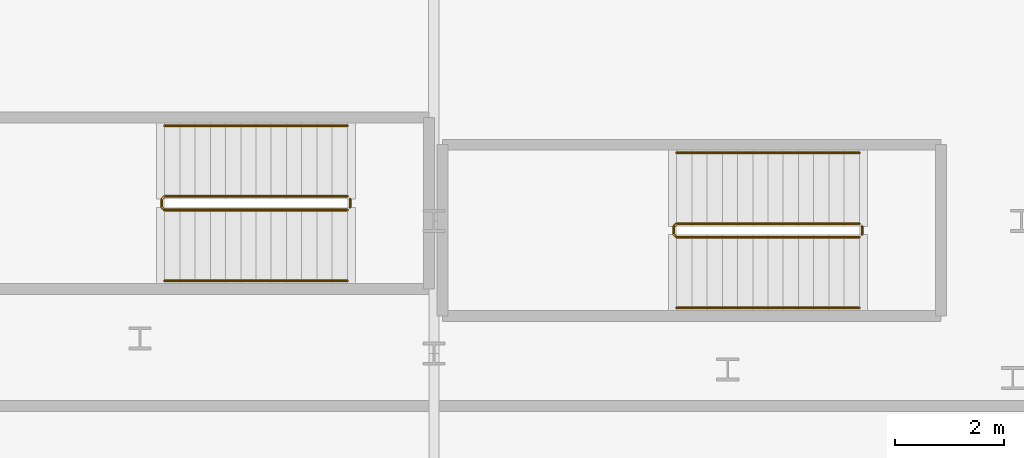
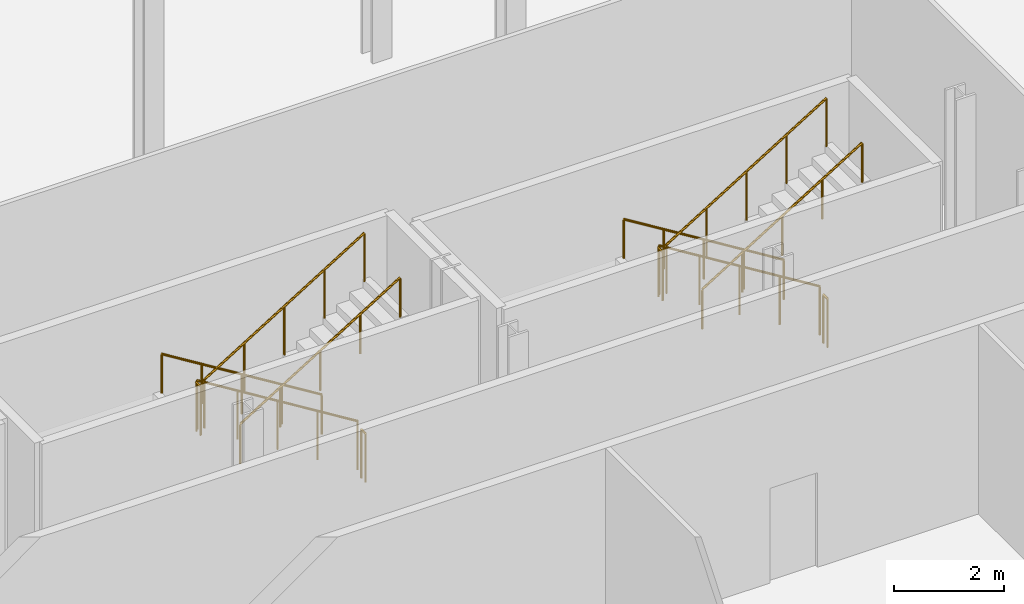
# One storey, part 40 of 43: 8 railings.
"""IFC4 building model written with IfcOpenShell, lengths in metres."""

from ifc_helpers import new_model, si_unit, direction, frame, origin, origin_2d, place, context, subcontext, project, spatial, circle, extrude, material, type_object, element, save


model = new_model("IFC4")

# Units and contexts
model_context = context("Model", 3, precision=1e-05, world=origin(), true_north=direction((0.0, 1.0)))
body_context = subcontext(model_context, "Body", "Model", "MODEL_VIEW")
ifc_project = project(units=[si_unit("LENGTHUNIT", "METRE"), si_unit("AREAUNIT", "SQUARE_METRE"), si_unit("VOLUMEUNIT", "CUBIC_METRE"), si_unit("PLANEANGLEUNIT", "RADIAN"), si_unit("MASSUNIT", "GRAM", prefix="KILO")], contexts=[model_context])

# Site, building, storey
site_placement = place(None, origin())
site = spatial("IfcSite", under=ifc_project, at=site_placement, CompositionType="ELEMENT")
building_placement = place(site_placement, origin())
building = spatial("IfcBuilding", under=site, at=building_placement, Name="Kheshtan School and Residences Tower", CompositionType="ELEMENT")
storey_placement = place(building_placement, frame((0.0, 0.0, 26.0)))
storey = spatial("IfcBuildingStorey", under=building, at=storey_placement, Name="L05", CompositionType="ELEMENT", Elevation=26.0)

# Railings
ifc_material_1 = material(Name="Stainless steel balustrade", Category="steel")
railing_type_1 = type_object("IfcRailingType", Name="Stair guard 1100", PredefinedType="GUARDRAIL", material=ifc_material_1)
railing_1_placement = place(storey_placement, frame((87.820068359375, 23.949951171875, 0.173095703125)))
element("IfcRailing", 1, at=railing_1_placement, inside=storey, type_object=railing_type_1, Name="L05 ST4 stair guard 1", PredefinedType="GUARDRAIL", context=body_context, shape_type="SweptSolid", body=[
    extrude(circle(Radius=0.02392578125, at=origin_2d()), frame((0.0, 0.0, 1.076171875), z_axis=(-0.850623216509, 0.0, 0.525775754039), x_axis=(0.0, -1.0, 0.0)), (0.0, 0.0, 1.0), 3.9501953125),
    extrude(circle(Radius=0.02392578125, at=origin_2d()), frame((-3.360107421875, 0.0, 3.15283203125), z_axis=(-0.707106781187, -0.707106781187, 0.0), x_axis=(0.707106781187, -0.707106781187, 0.0)), (0.0, 0.0, 1.0), 0.07080078125),
    extrude(circle(Radius=0.02392578125, at=origin_2d()), frame((-3.41015625, -0.050048828125, 3.15283203125), z_axis=(0.0, -1.0, 0.0), x_axis=(1.0, 0.0, 0.0)), (0.0, 0.0, 1.0), 0.14990234375),
    extrude(circle(Radius=0.02392578125, at=origin_2d()), frame((-3.41015625, -0.199951171875, 3.15283203125), z_axis=(0.267629722418, -0.267629722418, 0.925607186314), x_axis=(0.707106781187, 0.707106781187, 0.0)), (0.0, 0.0, 1.0), 0.18701171875),
    extrude(circle(Radius=0.02392578125, at=origin_2d()), frame((-3.360107421875, -0.25, 3.326171875), z_axis=(0.850623216509, 0.0, 0.525775754039), x_axis=(0.0, 1.0, 0.0)), (0.0, 0.0, 1.0), 3.9501953125),
    extrude(circle(Radius=0.02099609375, at=origin_2d()), origin(), (0.0, 0.0, 1.0), 1.052001953125),
    extrude(circle(Radius=0.02099609375, at=origin_2d()), frame((-0.840087890625, 0.0, 0.519287109375)), (0.0, 0.0, 1.0), 1.052001953125),
    extrude(circle(Radius=0.02099609375, at=origin_2d()), frame((-1.68017578125, 0.0, 1.03857421875)), (0.0, 0.0, 1.0), 1.052001953125),
    extrude(circle(Radius=0.02099609375, at=origin_2d()), frame((-2.52001953125, 0.0, 1.5576171875)), (0.0, 0.0, 1.0), 1.052001953125),
    extrude(circle(Radius=0.02099609375, at=origin_2d()), frame((-3.360107421875, 0.0, 2.076904296875)), (0.0, 0.0, 1.0), 1.052001953125),
    extrude(circle(Radius=0.02099609375, at=origin_2d()), frame((-3.41015625, -0.050048828125, 2.076904296875)), (0.0, 0.0, 1.0), 1.052001953125),
    extrude(circle(Radius=0.02099609375, at=origin_2d()), frame((-3.41015625, -0.199951171875, 2.076904296875)), (0.0, 0.0, 1.0), 1.052001953125),
    extrude(circle(Radius=0.02099609375, at=origin_2d()), frame((-3.360107421875, -0.25, 2.25)), (0.0, 0.0, 1.0), 1.052001953125),
    extrude(circle(Radius=0.02099609375, at=origin_2d()), frame((-2.52001953125, -0.25, 2.769287109375)), (0.0, 0.0, 1.0), 1.052001953125),
    extrude(circle(Radius=0.02099609375, at=origin_2d()), frame((-1.68017578125, -0.25, 3.28857421875)), (0.0, 0.0, 1.0), 1.052001953125),
    extrude(circle(Radius=0.02099609375, at=origin_2d()), frame((-0.840087890625, -0.25, 3.8076171875)), (0.0, 0.0, 1.0), 1.052001953125),
    extrude(circle(Radius=0.02099609375, at=origin_2d()), frame((0.0, -0.25, 4.326904296875)), (0.0, 0.0, 1.0), 1.052001953125),
])
railing_2_placement = place(storey_placement, frame((87.8701171875, 23.89990234375, 0.0)))
element("IfcRailing", 2, at=railing_2_placement, inside=storey, type_object=railing_type_1, Name="L05 ST4 stair guard 2", PredefinedType="GUARDRAIL", context=body_context, shape_type="SweptSolid", body=[
    extrude(circle(Radius=0.02392578125, at=origin_2d()), frame((0.0, 0.0, 1.076171875), z_axis=(0.0, -1.0, 0.0), x_axis=(1.0, 0.0, 0.0)), (0.0, 0.0, 1.0), 0.14990234375),
    extrude(circle(Radius=0.02099609375, at=origin_2d()), origin(), (0.0, 0.0, 1.0), 1.052001953125),
    extrude(circle(Radius=0.02099609375, at=origin_2d()), frame((0.0, -0.14990234375, 0.0)), (0.0, 0.0, 1.0), 1.052001953125),
])
railing_3_placement = place(storey_placement, frame((78.409912109375, 24.449951171875, 0.173095703125)))
element("IfcRailing", 3, at=railing_3_placement, inside=storey, type_object=railing_type_1, Name="L05 ST5 stair guard 1", PredefinedType="GUARDRAIL", context=body_context, shape_type="SweptSolid", body=[
    extrude(circle(Radius=0.02392578125, at=origin_2d()), frame((0.0, 0.0, 1.076171875), z_axis=(-0.850606129759, 0.0, 0.525803396734), x_axis=(0.0, -1.0, 0.0)), (0.0, 0.0, 1.0), 3.949951171875),
    extrude(circle(Radius=0.02392578125, at=origin_2d()), frame((-3.35986328125, 0.0, 3.15283203125), z_axis=(-0.707106781187, -0.707106781187, 0.0), x_axis=(0.707106781187, -0.707106781187, 0.0)), (0.0, 0.0, 1.0), 0.07080078125),
    extrude(circle(Radius=0.02392578125, at=origin_2d()), frame((-3.409912109375, -0.050048828125, 3.15283203125), z_axis=(0.0, -1.0, 0.0), x_axis=(1.0, 0.0, 0.0)), (0.0, 0.0, 1.0), 0.14990234375),
    extrude(circle(Radius=0.02392578125, at=origin_2d()), frame((-3.409912109375, -0.199951171875, 3.15283203125), z_axis=(0.267629722418, -0.267629722418, 0.925607186314), x_axis=(0.707106781187, 0.707106781187, 0.0)), (0.0, 0.0, 1.0), 0.18701171875),
    extrude(circle(Radius=0.02392578125, at=origin_2d()), frame((-3.35986328125, -0.25, 3.326171875), z_axis=(0.850606129759, 0.0, 0.525803396734), x_axis=(0.0, 1.0, 0.0)), (0.0, 0.0, 1.0), 3.949951171875),
    extrude(circle(Radius=0.02099609375, at=origin_2d()), origin(), (0.0, 0.0, 1.0), 1.052001953125),
    extrude(circle(Radius=0.02099609375, at=origin_2d()), frame((-0.83984375, 0.0, 0.519287109375)), (0.0, 0.0, 1.0), 1.052001953125),
    extrude(circle(Radius=0.02099609375, at=origin_2d()), frame((-1.679931640625, 0.0, 1.03857421875)), (0.0, 0.0, 1.0), 1.052001953125),
    extrude(circle(Radius=0.02099609375, at=origin_2d()), frame((-2.52001953125, 0.0, 1.5576171875)), (0.0, 0.0, 1.0), 1.052001953125),
    extrude(circle(Radius=0.02099609375, at=origin_2d()), frame((-3.35986328125, 0.0, 2.076904296875)), (0.0, 0.0, 1.0), 1.052001953125),
    extrude(circle(Radius=0.02099609375, at=origin_2d()), frame((-3.409912109375, -0.050048828125, 2.076904296875)), (0.0, 0.0, 1.0), 1.052001953125),
    extrude(circle(Radius=0.02099609375, at=origin_2d()), frame((-3.409912109375, -0.199951171875, 2.076904296875)), (0.0, 0.0, 1.0), 1.052001953125),
    extrude(circle(Radius=0.02099609375, at=origin_2d()), frame((-3.35986328125, -0.25, 2.25)), (0.0, 0.0, 1.0), 1.052001953125),
    extrude(circle(Radius=0.02099609375, at=origin_2d()), frame((-2.52001953125, -0.25, 2.769287109375)), (0.0, 0.0, 1.0), 1.052001953125),
    extrude(circle(Radius=0.02099609375, at=origin_2d()), frame((-1.679931640625, -0.25, 3.28857421875)), (0.0, 0.0, 1.0), 1.052001953125),
    extrude(circle(Radius=0.02099609375, at=origin_2d()), frame((-0.83984375, -0.25, 3.8076171875)), (0.0, 0.0, 1.0), 1.052001953125),
    extrude(circle(Radius=0.02099609375, at=origin_2d()), frame((0.0, -0.25, 4.326904296875)), (0.0, 0.0, 1.0), 1.052001953125),
])
railing_4_placement = place(storey_placement, frame((78.4599609375, 24.39990234375, 0.0)))
element("IfcRailing", 4, at=railing_4_placement, inside=storey, type_object=railing_type_1, Name="L05 ST5 stair guard 2", PredefinedType="GUARDRAIL", context=body_context, shape_type="SweptSolid", body=[
    extrude(circle(Radius=0.02392578125, at=origin_2d()), frame((0.0, 0.0, 1.076171875), z_axis=(0.0, -1.0, 0.0), x_axis=(1.0, 0.0, 0.0)), (0.0, 0.0, 1.0), 0.14990234375),
    extrude(circle(Radius=0.02099609375, at=origin_2d()), origin(), (0.0, 0.0, 1.0), 1.052001953125),
    extrude(circle(Radius=0.02099609375, at=origin_2d()), frame((0.0, -0.14990234375, 0.0)), (0.0, 0.0, 1.0), 1.052001953125),
])
ifc_material_2 = material(Name="Stainless steel handrail", Category="steel")
railing_type_2 = type_object("IfcRailingType", Name="Stair handrail 900", PredefinedType="HANDRAIL", material=ifc_material_2)
railing_5_placement = place(storey_placement, frame((87.820068359375, 25.25, 0.173095703125)))
element("IfcRailing", 5, at=railing_5_placement, inside=storey, type_object=railing_type_2, Name="L05 ST4 stair handrail 1", PredefinedType="HANDRAIL", context=body_context, shape_type="SweptSolid", body=[
    extrude(circle(Radius=0.02392578125, at=origin_2d()), frame((0.0, 0.0, 0.8759765625), z_axis=(-0.850623216509, 0.0, 0.525775754039), x_axis=(0.0, -1.0, 0.0)), (0.0, 0.0, 1.0), 3.9501953125),
    extrude(circle(Radius=0.02099609375, at=origin_2d()), origin(), (0.0, 0.0, 1.0), 0.851806640625),
    extrude(circle(Radius=0.02099609375, at=origin_2d()), frame((-0.840087890625, 0.0, 0.519287109375)), (0.0, 0.0, 1.0), 0.851806640625),
    extrude(circle(Radius=0.02099609375, at=origin_2d()), frame((-1.68017578125, 0.0, 1.03857421875)), (0.0, 0.0, 1.0), 0.851806640625),
    extrude(circle(Radius=0.02099609375, at=origin_2d()), frame((-2.52001953125, 0.0, 1.5576171875)), (0.0, 0.0, 1.0), 0.851806640625),
    extrude(circle(Radius=0.02099609375, at=origin_2d()), frame((-3.360107421875, 0.0, 2.076904296875)), (0.0, 0.0, 1.0), 0.851806640625),
])
railing_6_placement = place(storey_placement, frame((84.4599609375, 22.39990234375, 2.423095703125)))
element("IfcRailing", 6, at=railing_6_placement, inside=storey, type_object=railing_type_2, Name="L05 ST4 stair handrail 2", PredefinedType="HANDRAIL", context=body_context, shape_type="SweptSolid", body=[
    extrude(circle(Radius=0.02392578125, at=origin_2d()), frame((0.0, 0.0, 0.8759765625), z_axis=(0.850623216509, 0.0, 0.525775754039), x_axis=(0.0, 1.0, 0.0)), (0.0, 0.0, 1.0), 3.9501953125),
    extrude(circle(Radius=0.02099609375, at=origin_2d()), origin(), (0.0, 0.0, 1.0), 0.851806640625),
    extrude(circle(Radius=0.02099609375, at=origin_2d()), frame((0.840087890625, 0.0, 0.519287109375)), (0.0, 0.0, 1.0), 0.851806640625),
    extrude(circle(Radius=0.02099609375, at=origin_2d()), frame((1.68017578125, 0.0, 1.03857421875)), (0.0, 0.0, 1.0), 0.851806640625),
    extrude(circle(Radius=0.02099609375, at=origin_2d()), frame((2.52001953125, 0.0, 1.5576171875)), (0.0, 0.0, 1.0), 0.851806640625),
    extrude(circle(Radius=0.02099609375, at=origin_2d()), frame((3.360107421875, 0.0, 2.076904296875)), (0.0, 0.0, 1.0), 0.851806640625),
])
railing_7_placement = place(storey_placement, frame((78.409912109375, 25.75, 0.173095703125)))
element("IfcRailing", 7, at=railing_7_placement, inside=storey, type_object=railing_type_2, Name="L05 ST5 stair handrail 1", PredefinedType="HANDRAIL", context=body_context, shape_type="SweptSolid", body=[
    extrude(circle(Radius=0.02392578125, at=origin_2d()), frame((0.0, 0.0, 0.8759765625), z_axis=(-0.850606129759, 0.0, 0.525803396734), x_axis=(0.0, -1.0, 0.0)), (0.0, 0.0, 1.0), 3.949951171875),
    extrude(circle(Radius=0.02099609375, at=origin_2d()), origin(), (0.0, 0.0, 1.0), 0.851806640625),
    extrude(circle(Radius=0.02099609375, at=origin_2d()), frame((-0.83984375, 0.0, 0.519287109375)), (0.0, 0.0, 1.0), 0.851806640625),
    extrude(circle(Radius=0.02099609375, at=origin_2d()), frame((-1.679931640625, 0.0, 1.03857421875)), (0.0, 0.0, 1.0), 0.851806640625),
    extrude(circle(Radius=0.02099609375, at=origin_2d()), frame((-2.52001953125, 0.0, 1.5576171875)), (0.0, 0.0, 1.0), 0.851806640625),
    extrude(circle(Radius=0.02099609375, at=origin_2d()), frame((-3.35986328125, 0.0, 2.076904296875)), (0.0, 0.0, 1.0), 0.851806640625),
])
railing_8_placement = place(storey_placement, frame((75.050048828125, 22.89990234375, 2.423095703125)))
element("IfcRailing", 8, at=railing_8_placement, inside=storey, type_object=railing_type_2, Name="L05 ST5 stair handrail 2", PredefinedType="HANDRAIL", context=body_context, shape_type="SweptSolid", body=[
    extrude(circle(Radius=0.02392578125, at=origin_2d()), frame((0.0, 0.0, 0.8759765625), z_axis=(0.850606129759, 0.0, 0.525803396734), x_axis=(0.0, 1.0, 0.0)), (0.0, 0.0, 1.0), 3.949951171875),
    extrude(circle(Radius=0.02099609375, at=origin_2d()), origin(), (0.0, 0.0, 1.0), 0.851806640625),
    extrude(circle(Radius=0.02099609375, at=origin_2d()), frame((0.83984375, 0.0, 0.519287109375)), (0.0, 0.0, 1.0), 0.851806640625),
    extrude(circle(Radius=0.02099609375, at=origin_2d()), frame((1.679931640625, 0.0, 1.03857421875)), (0.0, 0.0, 1.0), 0.851806640625),
    extrude(circle(Radius=0.02099609375, at=origin_2d()), frame((2.52001953125, 0.0, 1.5576171875)), (0.0, 0.0, 1.0), 0.851806640625),
    extrude(circle(Radius=0.02099609375, at=origin_2d()), frame((3.35986328125, 0.0, 2.076904296875)), (0.0, 0.0, 1.0), 0.851806640625),
])

save(model, "model.ifc")
